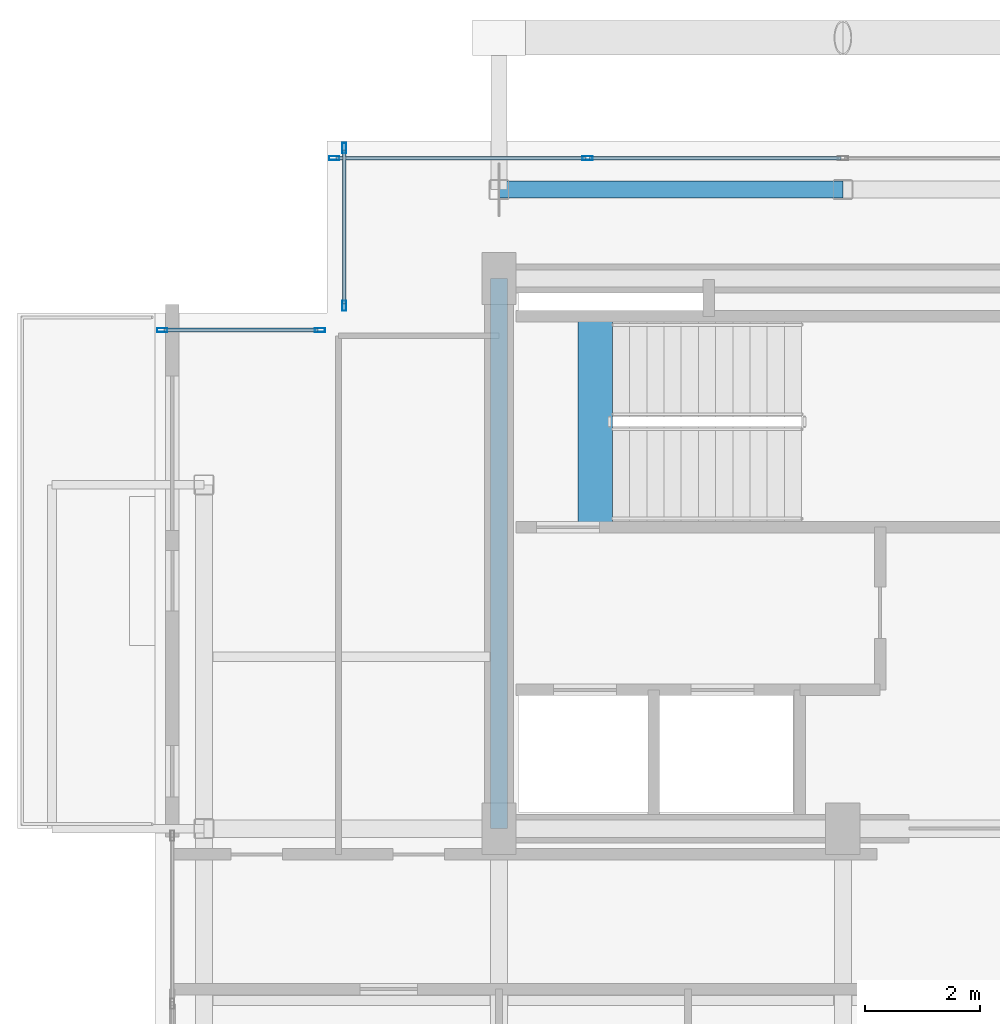
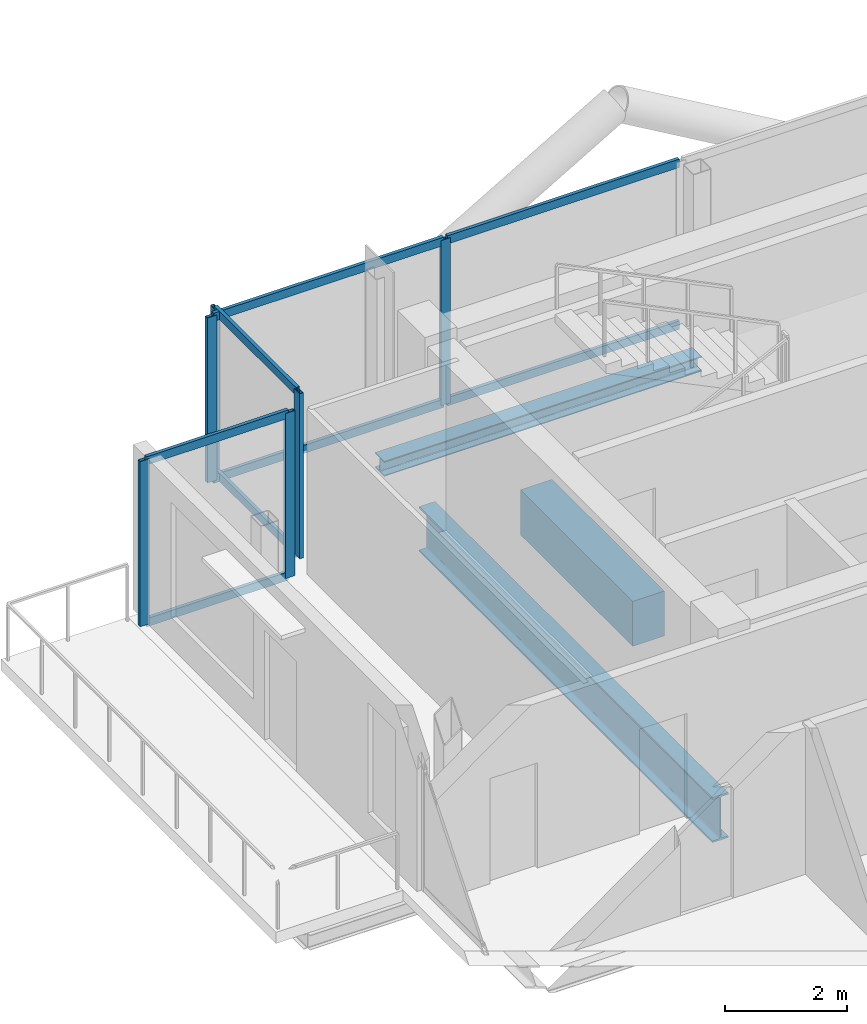
# One storey, part 8 of 19: 14 members, 3 beams, 3 elements without a shape of their own.
"""IFC4 building model written with IfcOpenShell, lengths in metres."""

from ifc_helpers import new_model, si_unit, direction, frame, origin, origin_2d, place, context, subcontext, project, spatial, rectangle, hollow_rectangle, i_section, extrude, material, layer, layer_set, material_profile, profile_set, type_object, element, aggregate, save


model = new_model("IFC4")

# Units and contexts
model_context = context("Model", 3, precision=1e-05, world=origin(), true_north=direction((0.0, 1.0)))
body_context = subcontext(model_context, "Body", "Model", "MODEL_VIEW")
ifc_project = project(units=[si_unit("LENGTHUNIT", "METRE"), si_unit("AREAUNIT", "SQUARE_METRE"), si_unit("VOLUMEUNIT", "CUBIC_METRE"), si_unit("PLANEANGLEUNIT", "RADIAN"), si_unit("MASSUNIT", "GRAM", prefix="KILO"), si_unit("THERMODYNAMICTEMPERATUREUNIT", "KELVIN"), si_unit("POWERUNIT", "WATT")], contexts=[model_context])

# Site, building, storey
site_placement = place(None, origin())
site = spatial("IfcSite", under=ifc_project, at=site_placement, CompositionType="ELEMENT")
building_placement = place(site_placement, origin())
building = spatial("IfcBuilding", under=site, at=building_placement, Name="Svarakhadi Broadcast Tower", CompositionType="ELEMENT")
storey_placement = place(building_placement, frame((0.0, 0.0, 257.199951171875)))
storey = spatial("IfcBuildingStorey", under=building, at=storey_placement, Name="L64", CompositionType="ELEMENT", Elevation=257.199951171875)

# Curtain wall, members
ifc_material_1 = material(Name="Anodised Bronze Aluminium AA 6063-T6", Category="aluminium")
ifc_layer = layer(ifc_material_1, 0.179931640625)
ifc_layer_set = layer_set([ifc_layer], Name="Anodised Bronze Aluminium AA 6063-T6")
curtain_wall_type = type_object("IfcCurtainWallType", Name="CW_Sys_05", PredefinedType="NOTDEFINED", material=ifc_layer_set)
curtain_wall_1_placement = place(storey_placement, origin())
curtain_wall_1 = element("IfcCurtainWall", 1, at=curtain_wall_1_placement, inside=storey, type_object=curtain_wall_type, Name="L64 Unitised Facade Curtain Wall 03", PredefinedType="NOTDEFINED")
ifc_material_profile_1 = material_profile(ifc_material_1, hollow_rectangle(XDim=0.070068359375, YDim=0.179931640625, WallThickness=0.005615234375, at=origin_2d()), Name="ALU MULLION 180x70x6")
ifc_profile_set_1 = profile_set([ifc_material_profile_1], Name="Anodised Bronze Aluminium AA 6063-T6")
member_type_1 = type_object("IfcMemberType", Name="CW_Sys_05_Mul", PredefinedType="MULLION", material=ifc_profile_set_1)
member_1_placement = place(storey_placement, frame((0.125, 26.699951171875, 0.0), z_axis=(0.0, 0.0, 1.0), x_axis=(0.0, 1.0, 0.0)))
member_1 = element("IfcMember", 2, at=member_1_placement, type_object=member_type_1, Name="CW-05 mullion 1", PredefinedType="MULLION", context=body_context, shape_type="SweptSolid", body=[
    extrude(hollow_rectangle(XDim=0.070068359375, YDim=0.179931640625, WallThickness=0.005615234375, at=origin_2d()), origin(), (0.0, 0.0, 1.0), 3.300048828125),
])
member_2_placement = place(storey_placement, frame((2.875, 26.699951171875, 0.0), z_axis=(0.0, 0.0, 1.0), x_axis=(0.0, 1.0, 0.0)))
member_2 = element("IfcMember", 3, at=member_2_placement, type_object=member_type_1, Name="CW-05 mullion 2", PredefinedType="MULLION", context=body_context, shape_type="SweptSolid", body=[
    extrude(hollow_rectangle(XDim=0.070068359375, YDim=0.179931640625, WallThickness=0.005615234375, at=origin_2d()), origin(), (0.0, 0.0, 1.0), 3.300048828125),
])

curtain_wall_2_placement = place(storey_placement, origin())
curtain_wall_2 = element("IfcCurtainWall", 4, at=curtain_wall_2_placement, inside=storey, type_object=curtain_wall_type, Name="L64 Unitised Facade Curtain Wall 04", PredefinedType="NOTDEFINED")
member_3_placement = place(storey_placement, frame((3.300048828125, 27.125, 0.0), z_axis=(0.0, 0.0, 1.0), x_axis=(-1.0, 0.0, 0.0)))
member_3 = element("IfcMember", 5, at=member_3_placement, type_object=member_type_1, Name="CW-05 mullion 1", PredefinedType="MULLION", context=body_context, shape_type="SweptSolid", body=[
    extrude(hollow_rectangle(XDim=0.070068359375, YDim=0.179931640625, WallThickness=0.005615234375, at=origin_2d()), origin(), (0.0, 0.0, 1.0), 3.300048828125),
])
member_4_placement = place(storey_placement, frame((3.300048828125, 29.875, 0.0), z_axis=(0.0, 0.0, 1.0), x_axis=(-1.0, 0.0, 0.0)))
member_4 = element("IfcMember", 6, at=member_4_placement, type_object=member_type_1, Name="CW-05 mullion 2", PredefinedType="MULLION", context=body_context, shape_type="SweptSolid", body=[
    extrude(hollow_rectangle(XDim=0.070068359375, YDim=0.179931640625, WallThickness=0.005615234375, at=origin_2d()), origin(), (0.0, 0.0, 1.0), 3.300048828125),
])

curtain_wall_3_placement = place(storey_placement, origin())
curtain_wall_3 = element("IfcCurtainWall", 7, at=curtain_wall_3_placement, inside=storey, type_object=curtain_wall_type, Name="L64 Unitised Facade Curtain Wall 05", PredefinedType="NOTDEFINED")
member_5_placement = place(storey_placement, frame((3.125, 29.699951171875, 0.0), z_axis=(0.0, 0.0, 1.0), x_axis=(0.0, 1.0, 0.0)))
member_5 = element("IfcMember", 8, at=member_5_placement, type_object=member_type_1, Name="CW-05 mullion 1", PredefinedType="MULLION", context=body_context, shape_type="SweptSolid", body=[
    extrude(hollow_rectangle(XDim=0.070068359375, YDim=0.179931640625, WallThickness=0.005615234375, at=origin_2d()), origin(), (0.0, 0.0, 1.0), 3.300048828125),
])
member_6_placement = place(storey_placement, frame((7.544921875, 29.699951171875, 0.0), z_axis=(0.0, 0.0, 1.0), x_axis=(0.0, 1.0, 0.0)))
member_6 = element("IfcMember", 9, at=member_6_placement, type_object=member_type_1, Name="CW-05 mullion 2", PredefinedType="MULLION", context=body_context, shape_type="SweptSolid", body=[
    extrude(hollow_rectangle(XDim=0.070068359375, YDim=0.179931640625, WallThickness=0.005615234375, at=origin_2d()), origin(), (0.0, 0.0, 1.0), 3.300048828125),
])

# Member
ifc_material_profile_2 = material_profile(ifc_material_1, hollow_rectangle(XDim=0.06494140625, YDim=0.1650390625, WallThickness=0.0048828125, at=origin_2d()), Name="ALU TRANSOM 165x65x5")
ifc_profile_set_2 = profile_set([ifc_material_profile_2], Name="Anodised Bronze Aluminium AA 6063-T6")
member_type_2 = type_object("IfcMemberType", Name="CW_Sys_05_Trn", PredefinedType="USERDEFINED", material=ifc_profile_set_2)
member_7_placement = place(storey_placement, frame((0.159912109375, 26.699951171875, 0.032470703125), z_axis=(1.0, 0.0, 0.0), x_axis=(0.0, 1.0, 0.0)))
member_7 = element("IfcMember", 10, at=member_7_placement, type_object=member_type_2, Name="CW-05 transom 1.1", ObjectType="TRANSOM", PredefinedType="USERDEFINED", context=body_context, shape_type="SweptSolid", body=[
    extrude(hollow_rectangle(XDim=0.06494140625, YDim=0.1650390625, WallThickness=0.0048828125, at=origin_2d()), origin(), (0.0, 0.0, 1.0), 2.68017578125),
])

member_8_placement = place(storey_placement, frame((0.159912109375, 26.699951171875, 3.267578125), z_axis=(1.0, 0.0, 0.0), x_axis=(0.0, 1.0, 0.0)))
member_8 = element("IfcMember", 11, at=member_8_placement, type_object=member_type_2, Name="CW-05 transom 1.2", ObjectType="TRANSOM", PredefinedType="USERDEFINED", context=body_context, shape_type="SweptSolid", body=[
    extrude(hollow_rectangle(XDim=0.06494140625, YDim=0.1650390625, WallThickness=0.0048828125, at=origin_2d()), origin(), (0.0, 0.0, 1.0), 2.68017578125),
])

aggregate(curtain_wall_1, [member_1, member_2, member_7, member_8])

member_9_placement = place(storey_placement, frame((3.300048828125, 27.159912109375, 0.032470703125), z_axis=(0.0, 1.0, 0.0), x_axis=(-1.0, 0.0, 0.0)))
member_9 = element("IfcMember", 12, at=member_9_placement, type_object=member_type_2, Name="CW-05 transom 1.1", ObjectType="TRANSOM", PredefinedType="USERDEFINED", context=body_context, shape_type="SweptSolid", body=[
    extrude(hollow_rectangle(XDim=0.06494140625, YDim=0.1650390625, WallThickness=0.0048828125, at=origin_2d()), origin(), (0.0, 0.0, 1.0), 2.68017578125),
])

member_10_placement = place(storey_placement, frame((3.300048828125, 27.159912109375, 3.267578125), z_axis=(0.0, 1.0, 0.0), x_axis=(-1.0, 0.0, 0.0)))
member_10 = element("IfcMember", 13, at=member_10_placement, type_object=member_type_2, Name="CW-05 transom 1.2", ObjectType="TRANSOM", PredefinedType="USERDEFINED", context=body_context, shape_type="SweptSolid", body=[
    extrude(hollow_rectangle(XDim=0.06494140625, YDim=0.1650390625, WallThickness=0.0048828125, at=origin_2d()), origin(), (0.0, 0.0, 1.0), 2.68017578125),
])

aggregate(curtain_wall_2, [member_3, member_4, member_9, member_10])

member_11_placement = place(storey_placement, frame((3.159912109375, 29.699951171875, 0.032470703125), z_axis=(1.0, 0.0, 0.0), x_axis=(0.0, 1.0, 0.0)))
member_11 = element("IfcMember", 14, at=member_11_placement, type_object=member_type_2, Name="CW-05 transom 1.1", ObjectType="TRANSOM", PredefinedType="USERDEFINED", context=body_context, shape_type="SweptSolid", body=[
    extrude(hollow_rectangle(XDim=0.06494140625, YDim=0.1650390625, WallThickness=0.0048828125, at=origin_2d()), origin(), (0.0, 0.0, 1.0), 4.35009765625),
])

member_12_placement = place(storey_placement, frame((3.159912109375, 29.699951171875, 3.267578125), z_axis=(1.0, 0.0, 0.0), x_axis=(0.0, 1.0, 0.0)))
member_12 = element("IfcMember", 15, at=member_12_placement, type_object=member_type_2, Name="CW-05 transom 1.2", ObjectType="TRANSOM", PredefinedType="USERDEFINED", context=body_context, shape_type="SweptSolid", body=[
    extrude(hollow_rectangle(XDim=0.06494140625, YDim=0.1650390625, WallThickness=0.0048828125, at=origin_2d()), origin(), (0.0, 0.0, 1.0), 4.35009765625),
])

member_13_placement = place(storey_placement, frame((7.580078125, 29.699951171875, 0.032470703125), z_axis=(1.0, 0.0, 0.0), x_axis=(0.0, 1.0, 0.0)))
member_13 = element("IfcMember", 16, at=member_13_placement, type_object=member_type_2, Name="CW-05 transom 2.1", ObjectType="TRANSOM", PredefinedType="USERDEFINED", context=body_context, shape_type="SweptSolid", body=[
    extrude(hollow_rectangle(XDim=0.06494140625, YDim=0.1650390625, WallThickness=0.0048828125, at=origin_2d()), origin(), (0.0, 0.0, 1.0), 4.385009765625),
])

member_14_placement = place(storey_placement, frame((7.580078125, 29.699951171875, 3.267578125), z_axis=(1.0, 0.0, 0.0), x_axis=(0.0, 1.0, 0.0)))
member_14 = element("IfcMember", 17, at=member_14_placement, type_object=member_type_2, Name="CW-05 transom 2.2", ObjectType="TRANSOM", PredefinedType="USERDEFINED", context=body_context, shape_type="SweptSolid", body=[
    extrude(hollow_rectangle(XDim=0.06494140625, YDim=0.1650390625, WallThickness=0.0048828125, at=origin_2d()), origin(), (0.0, 0.0, 1.0), 4.385009765625),
])

aggregate(curtain_wall_3, [member_5, member_6, member_11, member_12, member_13, member_14])

# Beams
ifc_material_2 = material(Name="Concrete C50/60 (IS 456 M60)", Category="concrete")
ifc_material_profile_3 = material_profile(ifc_material_2, rectangle(XDim=0.60009765625, YDim=0.89990234375, at=origin_2d()), Name="RC 600x900")
ifc_profile_set_3 = profile_set([ifc_material_profile_3], Name="Concrete C50/60 (IS 456 M60)")
beam_type_1 = type_object("IfcBeamType", Name="Coupling_RC600", PredefinedType="USERDEFINED", material=ifc_profile_set_3)
beam_1_placement = place(storey_placement, frame((7.679931640625, 23.260009765625, -0.449951171875), z_axis=(0.0, 1.0, 0.0), x_axis=(-1.0, 0.0, 0.0)))
element("IfcBeam", 18, at=beam_1_placement, inside=storey, type_object=beam_type_1, Name="L64 Stair ST-01 Landing Throat Trimmer Beam CB-01", ObjectType="GIRDER", PredefinedType="USERDEFINED", context=body_context, shape_type="SweptSolid", body=[
    extrude(rectangle(XDim=0.60009765625, YDim=0.89990234375, at=origin_2d()), origin(), (0.0, 0.0, 1.0), 3.679931640625),
])
ifc_material_3 = material(Name="Steel S355J2 (IS 2062 E350C)", Category="steel")
ifc_material_profile_4 = material_profile(ifc_material_3, i_section(OverallWidth=0.300048828125, OverallDepth=0.300048828125, WebThickness=0.010986328125, FlangeThickness=0.01904296875, FilletRadius=0.027099609375, at=origin_2d()), Name="WPB 300x300x117")
ifc_profile_set_4 = profile_set([ifc_material_profile_4], Name="Steel S355J2 (IS 2062 E350C)")
beam_type_2 = type_object("IfcBeamType", Name="Girder_WPB300", PredefinedType="USERDEFINED", material=ifc_profile_set_4)
beam_2_placement = place(storey_placement, frame((6.0, 29.14990234375, -0.349853515625), z_axis=(1.0, 0.0, 0.0), x_axis=(0.0, 1.0, 0.0)))
element("IfcBeam", 19, at=beam_2_placement, inside=storey, type_object=beam_type_2, Name="L64 Primary E-W Girder G024", ObjectType="GIRDER", PredefinedType="USERDEFINED", context=body_context, shape_type="SweptSolid", body=[
    extrude(i_section(OverallWidth=0.300048828125, OverallDepth=0.300048828125, WebThickness=0.010986328125, FlangeThickness=0.01904296875, FilletRadius=0.027099609375, at=origin_2d()), origin(), (0.0, 0.0, 1.0), 6.0),
])
ifc_material_4 = material(Name="Steel S460ML (IS 2062 E450BR)", Category="steel")
ifc_material_profile_5 = material_profile(ifc_material_4, i_section(OverallWidth=0.300048828125, OverallDepth=0.89990234375, WebThickness=0.0185546875, FlangeThickness=0.034912109375, FilletRadius=0.030029296875, at=origin_2d()), Name="WPB 900x300x291")
ifc_profile_set_5 = profile_set([ifc_material_profile_5], Name="Steel S460ML (IS 2062 E450BR)")
beam_type_3 = type_object("IfcBeamType", Name="Girder_WPB900", PredefinedType="USERDEFINED", material=ifc_profile_set_5)
beam_3_placement = place(storey_placement, frame((6.0, 18.0, -0.64990234375), z_axis=(0.0, 1.0, 0.0), x_axis=(-1.0, 0.0, 0.0)))
element("IfcBeam", 20, at=beam_3_placement, inside=storey, type_object=beam_type_3, Name="L64 Primary N-S Girder G032", ObjectType="GIRDER", PredefinedType="USERDEFINED", context=body_context, shape_type="SweptSolid", body=[
    extrude(i_section(OverallWidth=0.300048828125, OverallDepth=0.89990234375, WebThickness=0.0185546875, FlangeThickness=0.034912109375, FilletRadius=0.030029296875, at=origin_2d()), origin(), (0.0, 0.0, 1.0), 9.60009765625),
])

save(model, "model.ifc")
